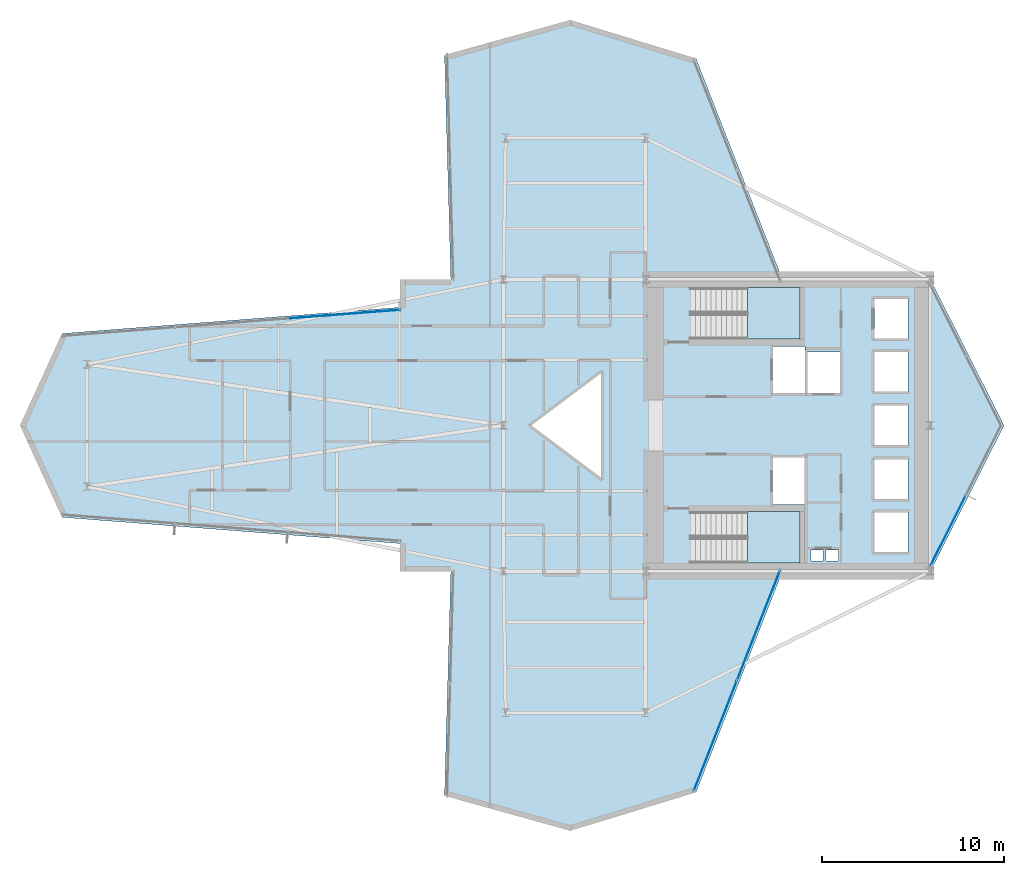
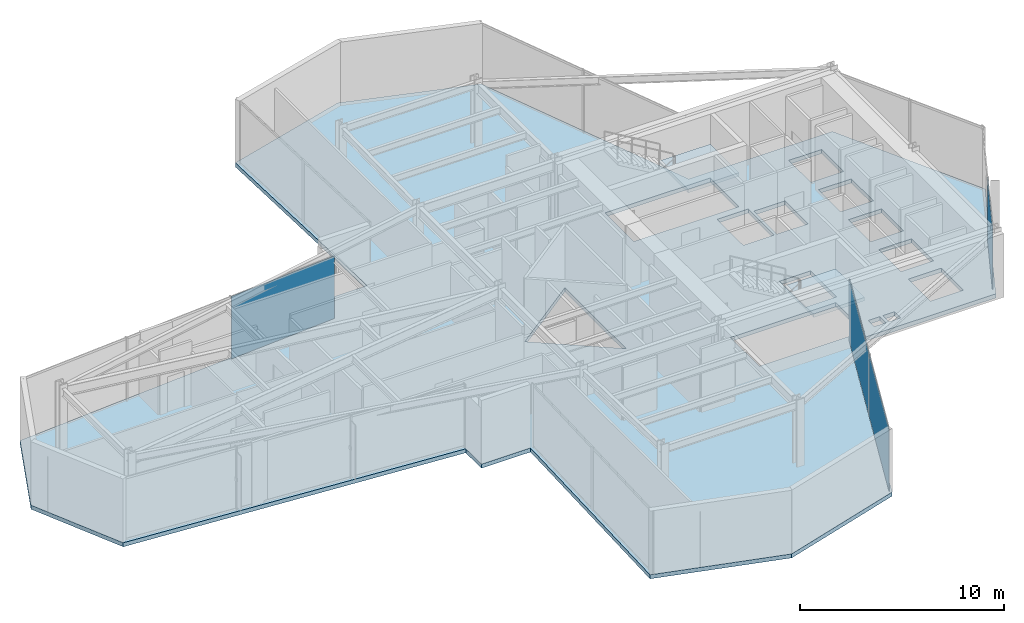
# One storey, part 25 of 30: 4 plates, 3 slabs, 5 elements without a shape of their own.
"""IFC4 building model written with IfcOpenShell, lengths in metres."""

from ifc_helpers import new_model, si_unit, direction, frame, origin, origin_2d, place, context, subcontext, project, spatial, polyline, rectangle, outline, extrude, material, layer, layer_set, type_object, element, aggregate, save


model = new_model("IFC4")

# Units and contexts
model_context = context("Model", 3, precision=1e-05, world=origin(), true_north=direction((0.0, 1.0)))
body_context = subcontext(model_context, "Body", "Model", "MODEL_VIEW")
ifc_project = project(units=[si_unit("LENGTHUNIT", "METRE"), si_unit("AREAUNIT", "SQUARE_METRE"), si_unit("VOLUMEUNIT", "CUBIC_METRE"), si_unit("PLANEANGLEUNIT", "RADIAN"), si_unit("MASSUNIT", "GRAM", prefix="KILO")], contexts=[model_context])

# Site, building, storey
site_placement = place(None, origin())
site = spatial("IfcSite", under=ifc_project, at=site_placement, CompositionType="ELEMENT")
building_placement = place(site_placement, origin())
building = spatial("IfcBuilding", under=site, at=building_placement, Name="Veymaron Broadcast Tower", CompositionType="ELEMENT")
storey_placement = place(building_placement, frame((0.0, 0.0, 54.0)))
storey = spatial("IfcBuildingStorey", under=building, at=storey_placement, Name="L11", CompositionType="ELEMENT", Elevation=54.0)

# Curtain wall, plate
ifc_material_1 = material(Name="Anodised aluminium AA 6063-T6 and laminated low-E dark glass", Category="aluminium")
ifc_layer_1 = layer(ifc_material_1, 0.179931640625)
ifc_layer_set_1 = layer_set([ifc_layer_1], Name="Anodised aluminium AA 6063-T6 and laminated low-E dark glass")
curtain_wall_type = type_object("IfcCurtainWallType", Name="CW-SYS-02", PredefinedType="NOTDEFINED", material=ifc_layer_set_1)
curtain_wall_1_placement = place(storey_placement, origin())
curtain_wall_1 = element("IfcCurtainWall", 1, at=curtain_wall_1_placement, inside=storey, type_object=curtain_wall_type, Name="L11 dark-glass curtain wall CW-L11-E2-1", PredefinedType="NOTDEFINED")
ifc_material_2 = material(Name="Double-silver solar-control dark glass IGU 32 mm", Category="glass")
ifc_layer_2 = layer(ifc_material_2, 0.031982421875)
ifc_layer_set_2 = layer_set([ifc_layer_2], Name="Double-silver solar-control dark glass IGU 32 mm")
plate_type = type_object("IfcPlateType", Name="CW-PNL-02", PredefinedType="CURTAIN_PANEL", material=ifc_layer_set_2)
plate_1_placement = place(storey_placement, frame((55.57958984375, 18.2548828125, 0.0400390625), z_axis=(0.0, 0.0, 1.0), x_axis=(0.450067269918, 0.892994654267, 0.0)))
plate_1 = element("IfcPlate", 2, at=plate_1_placement, type_object=plate_type, Name="CW-L11-E2-1 unitised curtain panel 0", PredefinedType="CURTAIN_PANEL", context=body_context, shape_type="SweptSolid", body=[
    extrude(rectangle(XDim=4.276123046875, YDim=0.031982421875, at=origin_2d()), origin(), (0.0, 0.0, 1.0), 3.72998046875),
])
aggregate(curtain_wall_1, [plate_1])

curtain_wall_2_placement = place(storey_placement, origin())
curtain_wall_2 = element("IfcCurtainWall", 3, at=curtain_wall_2_placement, inside=storey, type_object=curtain_wall_type, Name="L11 dark-glass curtain wall CW-L11-E11-1", PredefinedType="NOTDEFINED")
plate_2_placement = place(storey_placement, frame((22.45068359375, 30.09716796875, 0.0400390625), z_axis=(0.0, 0.0, 1.0), x_axis=(-0.997008399866, -0.07729327653, 0.0)))
plate_2 = element("IfcPlate", 4, at=plate_2_placement, type_object=plate_type, Name="CW-L11-E11-1 unitised curtain panel 0", PredefinedType="CURTAIN_PANEL", context=body_context, shape_type="SweptSolid", body=[
    extrude(rectangle(XDim=6.134521484375, YDim=0.031982421875, at=origin_2d()), origin(), (0.0, 0.0, 1.0), 3.72998046875),
])
aggregate(curtain_wall_2, [plate_2])

# Curtain wall, plates
curtain_wall_3_placement = place(storey_placement, origin())
curtain_wall_3 = element("IfcCurtainWall", 5, at=curtain_wall_3_placement, inside=storey, type_object=curtain_wall_type, Name="L11 dark-glass curtain wall CW-L11-E20-1", PredefinedType="NOTDEFINED")
plate_3_placement = place(storey_placement, frame((42.8056640625, 6.972900390625, 0.0400390625), z_axis=(0.0, 0.0, 1.0), x_axis=(0.36429171273, 0.931284890909, 0.0)))
plate_3 = element("IfcPlate", 6, at=plate_3_placement, type_object=plate_type, Name="CW-L11-E20-1 unitised curtain panel 0", PredefinedType="CURTAIN_PANEL", context=body_context, shape_type="SweptSolid", body=[
    extrude(rectangle(XDim=6.4384765625, YDim=0.031982421875, at=origin_2d()), origin(), (0.0, 0.0, 1.0), 3.72998046875),
])
plate_4_placement = place(storey_placement, frame((45.173095703125, 13.02490234375, 0.0400390625), z_axis=(0.0, 0.0, 1.0), x_axis=(0.36429171273, 0.931284890909, 0.0)))
plate_4 = element("IfcPlate", 7, at=plate_4_placement, type_object=plate_type, Name="CW-L11-E20-1 unitised curtain panel 1", PredefinedType="CURTAIN_PANEL", context=body_context, shape_type="SweptSolid", body=[
    extrude(rectangle(XDim=6.4384765625, YDim=0.031982421875, at=origin_2d()), origin(), (0.0, 0.0, 1.0), 3.72998046875),
])
aggregate(curtain_wall_3, [plate_3, plate_4])

# Slab
ifc_material_3 = material(Name="Concrete C40/50", Category="concrete")
ifc_layer_3 = layer(ifc_material_3, 0.239990234375)
ifc_layer_set_3 = layer_set([ifc_layer_3], Name="Concrete C40/50")
slab_type_1 = type_object("IfcSlabType", Name="SLAB-FS6", PredefinedType="FLOOR", material=ifc_layer_set_3)
slab_1_placement = place(storey_placement, frame((0.0, 0.0, -0.239990234375)))
element("IfcSlab", 8, at=slab_1_placement, inside=storey, type_object=slab_type_1, Name="L11 structural floor slab", PredefinedType="FLOOR", context=body_context, shape_type="SweptSolid", body=[
    extrude(outline(polyline([(46.487060546875, 16.0), (54.60009765625, 16.0), (58.632080078125, 24.0), (54.60009765625, 32.0), (46.487060546875, 32.0), (41.75244140625, 44.10400390625), (34.85595703125, 46.216064453125), (27.959716796875, 44.2958984375), (28.305419921875, 32.0), (25.528076171875, 32.0), (25.528076171875, 30.47607421875), (7.0, 29.039794921875), (4.696044921875, 24.0), (7.0, 18.960205078125), (25.528076171875, 17.52392578125), (25.528076171875, 16.0), (28.305419921875, 16.0), (27.959716796875, 3.7041015625), (34.85595703125, 1.783935546875), (41.75244140625, 3.89599609375), (46.487060546875, 16.0)]), holes=[polyline([(45.969970703125, 28.330078125), (47.72998046875, 28.330078125), (47.72998046875, 25.77001953125), (45.969970703125, 25.77001953125), (45.969970703125, 28.330078125)]), polyline([(45.969970703125, 22.22998046875), (47.72998046875, 22.22998046875), (47.72998046875, 19.669921875), (45.969970703125, 19.669921875), (45.969970703125, 22.22998046875)]), polyline([(47.8701171875, 28.030029296875), (49.6298828125, 28.030029296875), (49.6298828125, 25.77001953125), (47.8701171875, 25.77001953125), (47.8701171875, 28.030029296875)]), polyline([(51.52001953125, 30.929931640625), (53.3798828125, 30.929931640625), (53.3798828125, 28.77001953125), (51.52001953125, 28.77001953125), (51.52001953125, 30.929931640625)]), polyline([(51.52001953125, 28.030029296875), (53.3798828125, 28.030029296875), (53.3798828125, 25.8701171875), (51.52001953125, 25.8701171875), (51.52001953125, 28.030029296875)]), polyline([(51.52001953125, 22.1298828125), (53.3798828125, 22.1298828125), (53.3798828125, 19.969970703125), (51.52001953125, 19.969970703125), (51.52001953125, 22.1298828125)]), polyline([(51.52001953125, 25.080078125), (53.3798828125, 25.080078125), (53.3798828125, 22.919921875), (51.52001953125, 22.919921875), (51.52001953125, 25.080078125)]), polyline([(51.52001953125, 19.22998046875), (53.3798828125, 19.22998046875), (53.3798828125, 17.070068359375), (51.52001953125, 17.070068359375), (51.52001953125, 19.22998046875)]), polyline([(48.050048828125, 17.159912109375), (48.719970703125, 17.159912109375), (48.719970703125, 16.56005859375), (48.050048828125, 16.56005859375), (48.050048828125, 17.159912109375)]), polyline([(48.8798828125, 17.159912109375), (49.550048828125, 17.159912109375), (49.550048828125, 16.56005859375), (48.8798828125, 16.56005859375), (48.8798828125, 17.159912109375)]), polyline([(36.60009765625, 27.0), (36.60009765625, 21.0), (32.60009765625, 24.0), (36.60009765625, 27.0)]), polyline([(41.489990234375, 31.550048828125), (47.43994140625, 31.550048828125), (47.43994140625, 28.72998046875), (41.489990234375, 28.72998046875), (41.489990234375, 31.550048828125)]), polyline([(41.489990234375, 19.27001953125), (47.43994140625, 19.27001953125), (47.43994140625, 16.449951171875), (41.489990234375, 16.449951171875), (41.489990234375, 19.27001953125)])]), origin(), (0.0, 0.0, 1.0), 0.239990234375),
])

# Stair, slab
ifc_material_4 = material(Name="Concrete C50/60", Category="concrete")
stair_type_1 = type_object("IfcStairType", Name="STAIR-CORE-1", PredefinedType="HALF_TURN_STAIR", material=ifc_material_4)
stair_1_placement = place(storey_placement, origin())
stair_1 = element("IfcStair", 9, at=stair_1_placement, inside=storey, type_object=stair_type_1, Name="L11 North protected dog-leg exit stair ST1", PredefinedType="HALF_TURN_STAIR")
ifc_layer_4 = layer(ifc_material_4, 0.199951171875)
ifc_layer_set_4 = layer_set([ifc_layer_4], Name="Concrete C50/60")
slab_type_2 = type_object("IfcSlabType", Name="SLAB-STAIR-LDG", PredefinedType="LANDING", material=ifc_layer_set_4)
slab_2_placement = place(storey_placement, frame((0.0, 0.0, 1.824951171875)))
slab_2 = element("IfcSlab", 10, at=slab_2_placement, type_object=slab_type_2, Name="ST1 landing 1", PredefinedType="LANDING", context=body_context, shape_type="SweptSolid", body=[
    extrude(outline(polyline([(44.56494140625, 28.72998046875), (47.43994140625, 28.72998046875), (47.43994140625, 31.550048828125), (44.56494140625, 31.550048828125), (44.56494140625, 28.72998046875)])), origin(), (0.0, 0.0, 1.0), 0.199951171875),
])
aggregate(stair_1, [slab_2])

stair_type_2 = type_object("IfcStairType", Name="STAIR-CORE-2", PredefinedType="HALF_TURN_STAIR", material=ifc_material_4)
stair_2_placement = place(storey_placement, origin())
stair_2 = element("IfcStair", 11, at=stair_2_placement, inside=storey, type_object=stair_type_2, Name="L11 South protected dog-leg exit stair ST2", PredefinedType="HALF_TURN_STAIR")
slab_3_placement = place(storey_placement, frame((0.0, 0.0, 1.824951171875)))
slab_3 = element("IfcSlab", 12, at=slab_3_placement, type_object=slab_type_2, Name="ST2 landing 1", PredefinedType="LANDING", context=body_context, shape_type="SweptSolid", body=[
    extrude(outline(polyline([(44.56494140625, 16.449951171875), (47.43994140625, 16.449951171875), (47.43994140625, 19.27001953125), (44.56494140625, 19.27001953125), (44.56494140625, 16.449951171875)])), origin(), (0.0, 0.0, 1.0), 0.199951171875),
])
aggregate(stair_2, [slab_3])

save(model, "model.ifc")
